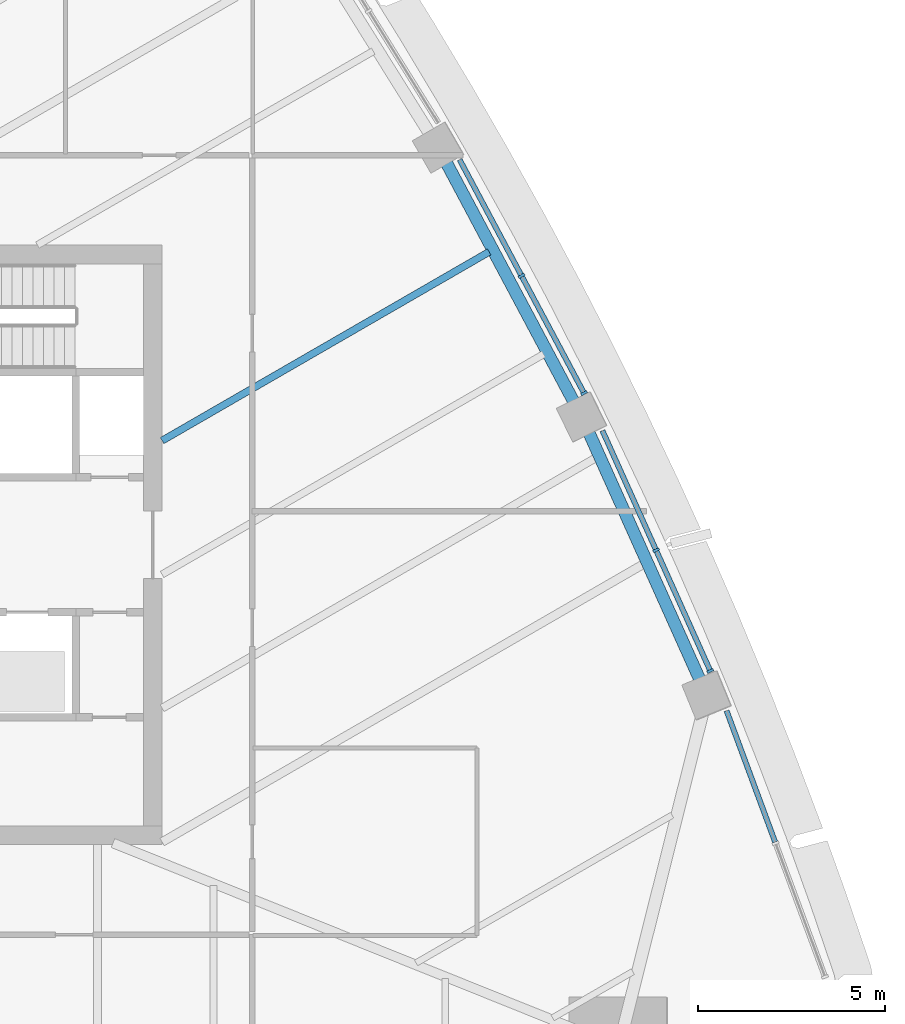
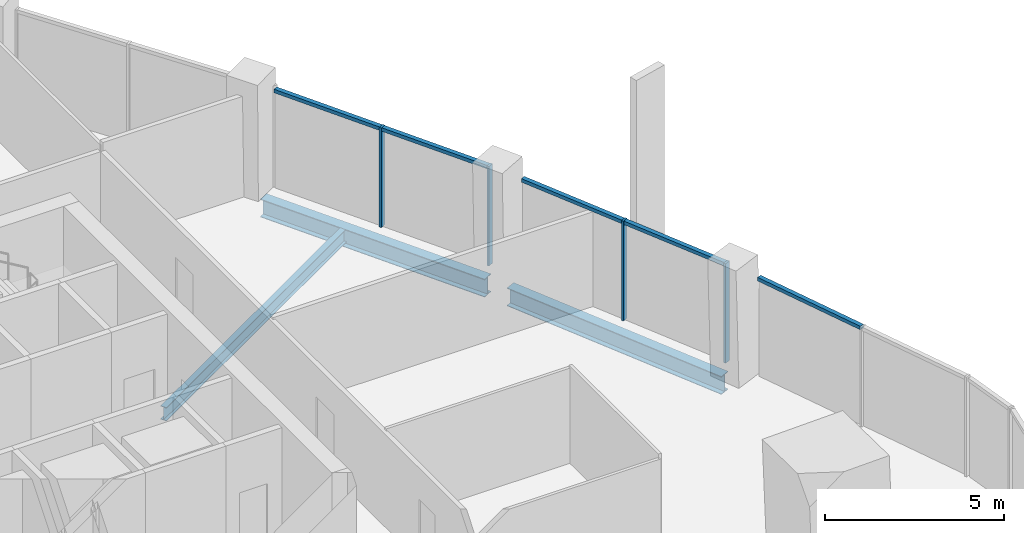
# One storey, part 5 of 19: 9 members, 3 beams, 3 elements without a shape of their own.
"""IFC4 building model written with IfcOpenShell, lengths in metres."""

from ifc_helpers import new_model, si_unit, direction, frame, origin, origin_2d, place, context, subcontext, project, spatial, rectangle, i_section, extrude, material, layer, layer_set, material_profile, profile_set, type_object, element, aggregate, save


model = new_model("IFC4")

# Units and contexts
model_context = context("Model", 3, precision=1e-05, world=origin(), true_north=direction((0.0, 1.0)))
body_context = subcontext(model_context, "Body", "Model", "MODEL_VIEW")
ifc_project = project(units=[si_unit("LENGTHUNIT", "METRE"), si_unit("AREAUNIT", "SQUARE_METRE"), si_unit("VOLUMEUNIT", "CUBIC_METRE"), si_unit("PLANEANGLEUNIT", "RADIAN"), si_unit("MASSUNIT", "GRAM", prefix="KILO")], contexts=[model_context])

# Site, building, storey
site_placement = place(None, origin())
site = spatial("IfcSite", under=ifc_project, at=site_placement, CompositionType="ELEMENT")
building_placement = place(site_placement, origin())
building = spatial("IfcBuilding", under=site, at=building_placement, Name="Sierra Prisma Convention Tower", CompositionType="ELEMENT")
storey_placement = place(building_placement, frame((0.0, 0.0, 193.800048828125)))
storey = spatial("IfcBuildingStorey", under=building, at=storey_placement, Name="L43", CompositionType="ELEMENT", Elevation=193.800048828125)

# Curtain wall, members
ifc_material_1 = material(Name="Aluminium and glass curtain wall", Category="aluminium")
ifc_layer = layer(ifc_material_1, 0.179931640625)
ifc_layer_set = layer_set([ifc_layer], Name="CW-1 Plain shaft curtain wall")
curtain_wall_type = type_object("IfcCurtainWallType", Name="CW-1 Plain shaft curtain wall", PredefinedType="NOTDEFINED", material=ifc_layer_set)
curtain_wall_1_placement = place(storey_placement, origin())
curtain_wall_1 = element("IfcCurtainWall", 1, at=curtain_wall_1_placement, inside=storey, type_object=curtain_wall_type, Name="CW-1 NE2 L43", PredefinedType="NOTDEFINED")
ifc_material_2 = material(Name="Aluminium 6063-T6 bronze anodised", Category="aluminium")
ifc_material_profile_1 = material_profile(ifc_material_2, rectangle(XDim=0.179931640625, YDim=0.070068359375, at=origin_2d()), Name="ALU MULLION 70x180")
ifc_profile_set_1 = profile_set([ifc_material_profile_1], Name="Aluminium 6063-T6 bronze anodised")
member_type_1 = type_object("IfcMemberType", Name="CW mullion bronze", PredefinedType="MULLION", material=ifc_profile_set_1)
member_1_placement = place(storey_placement, frame((25.6259765625, -3.363037109375, 0.0), z_axis=(0.0, 0.0, 1.0), x_axis=(-0.912281467766, -0.409563821121, 0.0)))
member_1 = element("IfcMember", 2, at=member_1_placement, type_object=member_type_1, Name="CW-1 mullion NE2.1", PredefinedType="MULLION", context=body_context, shape_type="SweptSolid", body=[
    extrude(rectangle(XDim=0.179931640625, YDim=0.070068359375, at=origin_2d()), origin(), (0.0, 0.0, 1.0), 3.39990234375),
])
member_2_placement = place(storey_placement, frame((24.18017578125, -0.142578125, 0.0), z_axis=(0.0, 0.0, 1.0), x_axis=(-0.912281467766, -0.409563821121, 0.0)))
member_2 = element("IfcMember", 3, at=member_2_placement, type_object=member_type_1, Name="CW-1 mullion NE2.2", PredefinedType="MULLION", context=body_context, shape_type="SweptSolid", body=[
    extrude(rectangle(XDim=0.179931640625, YDim=0.070068359375, at=origin_2d()), origin(), (0.0, 0.0, 1.0), 3.39990234375),
])

curtain_wall_2_placement = place(storey_placement, origin())
curtain_wall_2 = element("IfcCurtainWall", 4, at=curtain_wall_2_placement, inside=storey, type_object=curtain_wall_type, Name="CW-1 NE3 L43", PredefinedType="NOTDEFINED")
member_3_placement = place(storey_placement, frame((22.2578125, 4.048828125, 0.0), z_axis=(0.0, 0.0, 1.0), x_axis=(-0.882462491448, -0.470382770929, 0.0)))
member_3 = element("IfcMember", 5, at=member_3_placement, type_object=member_type_1, Name="CW-1 mullion NE3.1", PredefinedType="MULLION", context=body_context, shape_type="SweptSolid", body=[
    extrude(rectangle(XDim=0.179931640625, YDim=0.070068359375, at=origin_2d()), origin(), (0.0, 0.0, 1.0), 3.39990234375),
])
member_4_placement = place(storey_placement, frame((20.58984375, 7.177978515625, 0.0), z_axis=(0.0, 0.0, 1.0), x_axis=(-0.882462491448, -0.470382770929, 0.0)))
member_4 = element("IfcMember", 6, at=member_4_placement, type_object=member_type_1, Name="CW-1 mullion NE3.2", PredefinedType="MULLION", context=body_context, shape_type="SweptSolid", body=[
    extrude(rectangle(XDim=0.179931640625, YDim=0.070068359375, at=origin_2d()), origin(), (0.0, 0.0, 1.0), 3.39990234375),
])

# Curtain wall, member
curtain_wall_3_placement = place(storey_placement, origin())
curtain_wall_3 = element("IfcCurtainWall", 7, at=curtain_wall_3_placement, inside=storey, type_object=curtain_wall_type, Name="CW-1 NE1 L43", PredefinedType="NOTDEFINED")
ifc_material_3 = material(Name="Aluminium 6063-T6 bronze anodised", Category="aluminium")
ifc_material_profile_2 = material_profile(ifc_material_3, rectangle(XDim=0.139892578125, YDim=0.1201171875, at=origin_2d()), Name="ALU TRANSOM 120x140")
ifc_profile_set_2 = profile_set([ifc_material_profile_2], Name="Aluminium 6063-T6 bronze anodised")
member_type_2 = type_object("IfcMemberType", Name="CW transom bronze", PredefinedType="USERDEFINED", material=ifc_profile_set_2)
member_5_placement = place(storey_placement, frame((27.35546875, -7.926513671875, 3.33984375), z_axis=(-0.346832808011, 0.937926971191, 0.0), x_axis=(-0.937926971191, -0.346832808011, 0.0)))
member_5 = element("IfcMember", 8, at=member_5_placement, type_object=member_type_2, Name="CW-1 transom NE1.2", ObjectType="TRANSOM", PredefinedType="USERDEFINED", context=body_context, shape_type="SweptSolid", body=[
    extrude(rectangle(XDim=0.139892578125, YDim=0.1201171875, at=origin_2d()), origin(), (0.0, 0.0, 1.0), 3.732177734375),
])
aggregate(curtain_wall_3, [member_5])

# Member
member_6_placement = place(storey_placement, frame((25.611572265625, -3.3310546875, 3.33984375), z_axis=(-0.409540067387, 0.912292131504, 0.0), x_axis=(-0.912292131504, -0.409540067387, 0.0)))
member_6 = element("IfcMember", 9, at=member_6_placement, type_object=member_type_2, Name="CW-1 transom NE2.1", ObjectType="TRANSOM", PredefinedType="USERDEFINED", context=body_context, shape_type="SweptSolid", body=[
    extrude(rectangle(XDim=0.139892578125, YDim=0.1201171875, at=origin_2d()), origin(), (0.0, 0.0, 1.0), 3.4599609375),
])

member_7_placement = place(storey_placement, frame((24.165771484375, -0.11083984375, 3.33984375), z_axis=(-0.409540067387, 0.912292131504, 0.0), x_axis=(-0.912292131504, -0.409540067387, 0.0)))
member_7 = element("IfcMember", 10, at=member_7_placement, type_object=member_type_2, Name="CW-1 transom NE2.2", ObjectType="TRANSOM", PredefinedType="USERDEFINED", context=body_context, shape_type="SweptSolid", body=[
    extrude(rectangle(XDim=0.139892578125, YDim=0.1201171875, at=origin_2d()), origin(), (0.0, 0.0, 1.0), 3.4599609375),
])

aggregate(curtain_wall_1, [member_1, member_2, member_6, member_7])

member_8_placement = place(storey_placement, frame((22.241455078125, 4.07958984375, 3.33984375), z_axis=(-0.47038042623, 0.88246374125, 0.0), x_axis=(-0.88246374125, -0.47038042623, 0.0)))
member_8 = element("IfcMember", 11, at=member_8_placement, type_object=member_type_2, Name="CW-1 transom NE3.1", ObjectType="TRANSOM", PredefinedType="USERDEFINED", context=body_context, shape_type="SweptSolid", body=[
    extrude(rectangle(XDim=0.139892578125, YDim=0.1201171875, at=origin_2d()), origin(), (0.0, 0.0, 1.0), 3.475830078125),
])

member_9_placement = place(storey_placement, frame((20.573486328125, 7.208740234375, 3.33984375), z_axis=(-0.470351272645, 0.882479280392, 0.0), x_axis=(-0.882479280392, -0.470351272645, 0.0)))
member_9 = element("IfcMember", 12, at=member_9_placement, type_object=member_type_2, Name="CW-1 transom NE3.2", ObjectType="TRANSOM", PredefinedType="USERDEFINED", context=body_context, shape_type="SweptSolid", body=[
    extrude(rectangle(XDim=0.139892578125, YDim=0.1201171875, at=origin_2d()), origin(), (0.0, 0.0, 1.0), 3.47607421875),
])

aggregate(curtain_wall_2, [member_3, member_4, member_8, member_9])

# Beams
ifc_material_4 = material(Name="Steel ASTM A992 Gr 50", Category="steel")
ifc_material_profile_3 = material_profile(ifc_material_4, i_section(OverallWidth=0.18994140625, OverallDepth=0.45703125, WebThickness=0.009033203125, FlangeThickness=0.014404296875, at=origin_2d()), Name="W460x74")
ifc_profile_set_3 = profile_set([ifc_material_profile_3], Name="Steel ASTM A992 Gr 50")
beam_type_1 = type_object("IfcBeamType", Name="Floor joist W460x74", PredefinedType="JOIST", material=ifc_profile_set_3)
beam_1_placement = place(storey_placement, frame((19.724853515625, 7.818115234375, -0.378662109375), z_axis=(-0.866033447616, -0.499986067415, 0.0), x_axis=(0.499986067415, -0.866033447616, 0.0)))
element("IfcBeam", 13, at=beam_1_placement, inside=storey, type_object=beam_type_1, Name="Floor joist L43 NE07", PredefinedType="JOIST", context=body_context, shape_type="SweptSolid", body=[
    extrude(i_section(OverallWidth=0.18994140625, OverallDepth=0.45703125, WebThickness=0.009033203125, FlangeThickness=0.014404296875, at=origin_2d()), origin(), (0.0, 0.0, 1.0), 10.074462890625),
])
ifc_material_5 = material(Name="Steel ASTM A992 Gr 50", Category="steel")
ifc_material_profile_4 = material_profile(ifc_material_5, i_section(OverallWidth=0.324951171875, OverallDepth=0.615966796875, WebThickness=0.013916015625, FlangeThickness=0.021484375, at=origin_2d()), Name="W610x174")
ifc_profile_set_4 = profile_set([ifc_material_profile_4], Name="Steel ASTM A992 Gr 50")
beam_type_2 = type_object("IfcBeamType", Name="Spandrel beam W610x174", PredefinedType="BEAM", material=ifc_profile_set_4)
beam_2_placement = place(storey_placement, frame((25.383544921875, -3.677001953125, -0.4580078125), z_axis=(-0.409559541358, 0.91228338913, 0.0), x_axis=(-0.91228338913, -0.409559541358, 0.0)))
element("IfcBeam", 14, at=beam_2_placement, inside=storey, type_object=beam_type_2, Name="Spandrel L43-08", PredefinedType="BEAM", context=body_context, shape_type="SweptSolid", body=[
    extrude(i_section(OverallWidth=0.324951171875, OverallDepth=0.615966796875, WebThickness=0.013916015625, FlangeThickness=0.021484375, at=origin_2d()), origin(), (0.0, 0.0, 1.0), 7.389892578125),
])
beam_3_placement = place(storey_placement, frame((22.022216796875, 3.747314453125, -0.4580078125), z_axis=(-0.470372170033, 0.882468142008, 0.0), x_axis=(-0.882468142008, -0.470372170033, 0.0)))
element("IfcBeam", 15, at=beam_3_placement, inside=storey, type_object=beam_type_2, Name="Spandrel L43-09", PredefinedType="BEAM", context=body_context, shape_type="SweptSolid", body=[
    extrude(i_section(OverallWidth=0.324951171875, OverallDepth=0.615966796875, WebThickness=0.013916015625, FlangeThickness=0.021484375, at=origin_2d()), origin(), (0.0, 0.0, 1.0), 7.39013671875),
])

save(model, "model.ifc")
